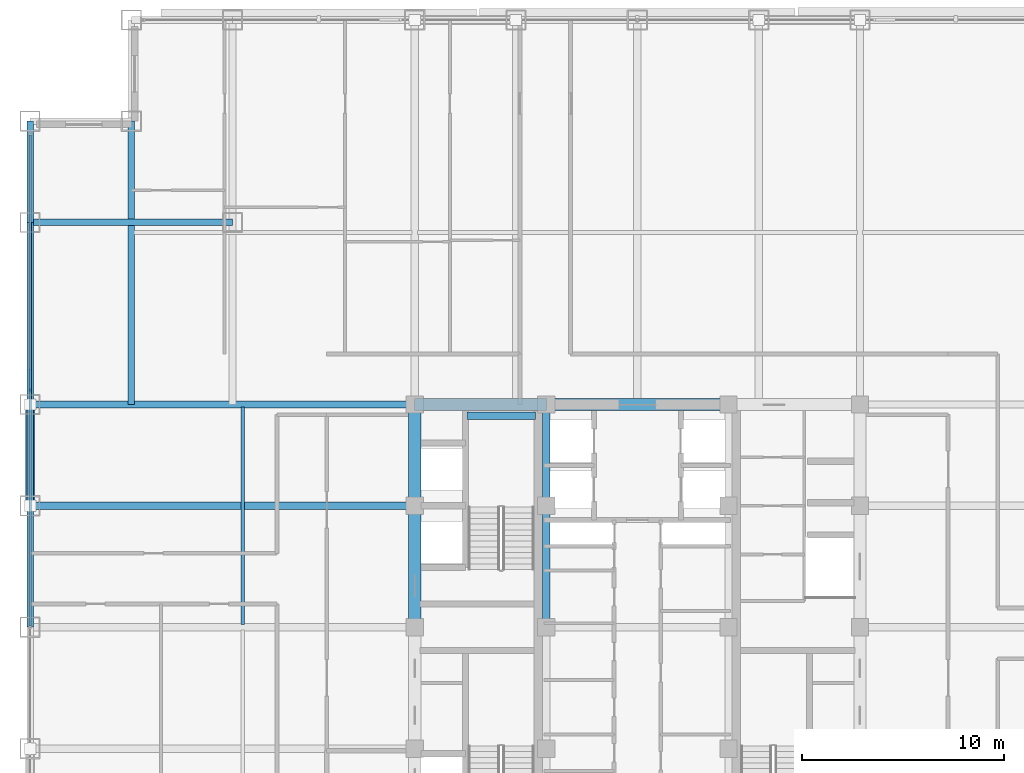
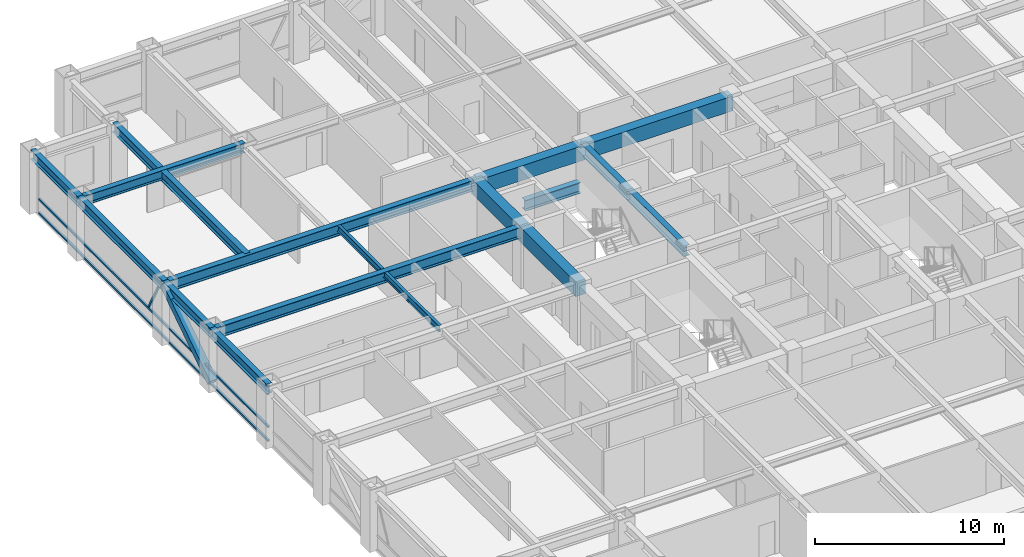
# One storey, part 11 of 29: 16 beams, 5 members, 1 element without a shape of its own.
"""IFC4 building model written with IfcOpenShell, lengths in metres."""

from ifc_helpers import new_model, si_unit, direction, frame, origin, origin_2d, place, context, subcontext, project, spatial, rectangle, hollow_rectangle, i_section, extrude, source, transform, mapped, material, material_profile, profile_set, type_object, element, aggregate, save


model = new_model("IFC4")

# Units and contexts
model_context = context("Model", 3, precision=1e-05, world=origin(), true_north=direction((0.0, 1.0)))
body_context = subcontext(model_context, "Body", "Model", "MODEL_VIEW")
ifc_project = project(units=[si_unit("LENGTHUNIT", "METRE"), si_unit("AREAUNIT", "SQUARE_METRE"), si_unit("VOLUMEUNIT", "CUBIC_METRE"), si_unit("PLANEANGLEUNIT", "RADIAN"), si_unit("MASSUNIT", "GRAM", prefix="KILO")], contexts=[model_context])

# Site, building, storey
site_placement = place(None, origin())
site = spatial("IfcSite", under=ifc_project, at=site_placement, CompositionType="ELEMENT")
building_placement = place(site_placement, origin())
building = spatial("IfcBuilding", under=site, at=building_placement, Name="Khorayat Bourse Tower", CompositionType="ELEMENT")
storey_placement = place(building_placement, frame((0.0, 0.0, 243.10009765625)))
storey = spatial("IfcBuildingStorey", under=building, at=storey_placement, Name="L57", CompositionType="ELEMENT", Elevation=243.10009765625)

# Beams
ifc_material_1 = material(Name="Steel ASTM A992 Grade 50", Category="steel")
ifc_material_profile_1 = material_profile(ifc_material_1, i_section(OverallWidth=0.35498046875, OverallDepth=0.695068359375, WebThickness=0.015380859375, FlangeThickness=0.02490234375, FilletRadius=0.01806640625, at=origin_2d()), Name="W690X217")
ifc_profile_set_1 = profile_set([ifc_material_profile_1], Name="Steel ASTM A992 Grade 50")
beam_type_1 = type_object("IfcBeamType", Name="BM-GIRD-690", PredefinedType="BEAM", material=ifc_profile_set_1)
shared_shape_1 = source(origin(), body_context, "Body", "SweptSolid", [
    extrude(i_section(OverallWidth=0.35498046875, OverallDepth=0.695068359375, WebThickness=0.015380859375, FlangeThickness=0.02490234375, FilletRadius=0.01806640625, at=origin_2d()), origin(), (0.0, 0.0, 1.0), 5.0),
])
beam_1_placement = place(storey_placement, frame((-4.5, 6.0, 3.432373046875), z_axis=(0.0, 1.0, 0.0), x_axis=(-1.0, 0.0, 0.0)))
element("IfcBeam", 1, at=beam_1_placement, inside=storey, type_object=beam_type_1, Name="L57 BM-GIRD-690 BM-L57-CRX-08", PredefinedType="BEAM", context=body_context, shape_type="MappedRepresentation", body=[
    mapped(shared_shape_1, transform((0.0, 0.0, 0.0), scale=1.0)),
])
shared_shape_2 = source(origin(), body_context, "Body", "SweptSolid", [
    extrude(i_section(OverallWidth=0.35498046875, OverallDepth=0.695068359375, WebThickness=0.015380859375, FlangeThickness=0.02490234375, FilletRadius=0.01806640625, at=origin_2d()), origin(), (0.0, 0.0, 1.0), 6.0),
])
beam_2_placement = place(storey_placement, frame((-4.5, 0.0, 3.432373046875), z_axis=(0.0, 1.0, 0.0), x_axis=(-1.0, 0.0, 0.0)))
element("IfcBeam", 2, at=beam_2_placement, inside=storey, type_object=beam_type_1, Name="L57 BM-GIRD-690 BM-L57-CRX-07", PredefinedType="BEAM", context=body_context, shape_type="MappedRepresentation", body=[
    mapped(shared_shape_2, transform((0.0, 0.0, 0.0), scale=1.0)),
])
shared_shape_3 = source(origin(), body_context, "Body", "SweptSolid", [
    extrude(i_section(OverallWidth=0.35498046875, OverallDepth=0.695068359375, WebThickness=0.015380859375, FlangeThickness=0.02490234375, FilletRadius=0.01806640625, at=origin_2d()), origin(), (0.0, 0.0, 1.0), 3.39990234375),
])
beam_3_placement = place(storey_placement, frame((-8.419921875, 10.449951171875, 1.452392578125), z_axis=(1.0, 0.0, 0.0), x_axis=(0.0, 1.0, 0.0)))
element("IfcBeam", 3, at=beam_3_placement, inside=storey, type_object=beam_type_1, Name="L57 BM-GIRD-690 BM-L57-ST2L", PredefinedType="BEAM", context=body_context, shape_type="MappedRepresentation", body=[
    mapped(shared_shape_3, transform((0.0, 0.0, 0.0), scale=1.0)),
])
ifc_material_profile_2 = material_profile(ifc_material_1, i_section(OverallWidth=0.324951171875, OverallDepth=0.615966796875, WebThickness=0.013916015625, FlangeThickness=0.021484375, FilletRadius=0.01611328125, at=origin_2d()), Name="W610X174")
ifc_profile_set_2 = profile_set([ifc_material_profile_2], Name="Steel ASTM A992 Grade 50")
beam_type_2 = type_object("IfcBeamType", Name="BM-GIRD-610", PredefinedType="BEAM", material=ifc_profile_set_2)
shared_shape_4 = source(origin(), body_context, "Body", "SweptSolid", [
    extrude(i_section(OverallWidth=0.324951171875, OverallDepth=0.615966796875, WebThickness=0.013916015625, FlangeThickness=0.021484375, FilletRadius=0.01611328125, at=origin_2d()), origin(), (0.0, 0.0, 1.0), 10.0),
])
beam_4_placement = place(storey_placement, frame((-30.0, 20.0, 3.471923828125), z_axis=(1.0, 0.0, 0.0), x_axis=(0.0, 1.0, 0.0)))
element("IfcBeam", 4, at=beam_4_placement, inside=storey, type_object=beam_type_2, Name="L57 BM-GIRD-610 BM-L57-CNRX-095", PredefinedType="BEAM", context=body_context, shape_type="MappedRepresentation", body=[
    mapped(shared_shape_4, transform((0.0, 0.0, 0.0), scale=1.0)),
])
ifc_material_profile_3 = material_profile(ifc_material_1, i_section(OverallWidth=0.180908203125, OverallDepth=0.4169921875, WebThickness=0.010986328125, FlangeThickness=0.018310546875, FilletRadius=0.011962890625, at=origin_2d()), Name="W410X85")
ifc_profile_set_3 = profile_set([ifc_material_profile_3], Name="Steel ASTM A992 Grade 50")
beam_type_3 = type_object("IfcBeamType", Name="BM-JOIST-410", PredefinedType="JOIST", material=ifc_profile_set_3)
shared_shape_5 = source(origin(), body_context, "Body", "SweptSolid", [
    extrude(i_section(OverallWidth=0.180908203125, OverallDepth=0.4169921875, WebThickness=0.010986328125, FlangeThickness=0.018310546875, FilletRadius=0.011962890625, at=origin_2d()), origin(), (0.0, 0.0, 1.0), 10.740234375),
])
beam_5_placement = place(storey_placement, frame((-19.5, 0.1298828125, 3.5712890625), z_axis=(0.0, 1.0, 0.0), x_axis=(-1.0, 0.0, 0.0)))
element("IfcBeam", 5, at=beam_5_placement, inside=storey, type_object=beam_type_3, Name="L57 BM-JOIST-410 BM-L57-JSTY-103", PredefinedType="JOIST", context=body_context, shape_type="MappedRepresentation", body=[
    mapped(shared_shape_5, transform((0.0, 0.0, 0.0), scale=1.0)),
])
ifc_material_profile_4 = material_profile(ifc_material_1, i_section(OverallWidth=0.324951171875, OverallDepth=0.615966796875, WebThickness=0.013916015625, FlangeThickness=0.021484375, FilletRadius=0.01611328125, at=origin_2d()), Name="W610X174")
ifc_profile_set_4 = profile_set([ifc_material_profile_4], Name="Steel ASTM A992 Grade 50")
beam_type_4 = type_object("IfcBeamType", Name="BM-SPAN-610", PredefinedType="SPANDREL", material=ifc_profile_set_4)
shared_shape_6 = source(origin(), body_context, "Body", "SweptSolid", [
    extrude(i_section(OverallWidth=0.324951171875, OverallDepth=0.615966796875, WebThickness=0.013916015625, FlangeThickness=0.021484375, FilletRadius=0.01611328125, at=origin_2d()), origin(), (0.0, 0.0, 1.0), 9.0),
])
beam_6_placement = place(storey_placement, frame((-30.0, 11.0, 3.471923828125), z_axis=(0.0, 1.0, 0.0), x_axis=(-1.0, 0.0, 0.0)))
element("IfcBeam", 6, at=beam_6_placement, inside=storey, type_object=beam_type_4, Name="L57 BM-SPAN-610 BM-L57-SPN-055", PredefinedType="SPANDREL", context=body_context, shape_type="MappedRepresentation", body=[
    mapped(shared_shape_6, transform((0.0, 0.0, 0.0), scale=1.0)),
])
shared_shape_7 = source(origin(), body_context, "Body", "SweptSolid", [
    extrude(i_section(OverallWidth=0.324951171875, OverallDepth=0.615966796875, WebThickness=0.013916015625, FlangeThickness=0.021484375, FilletRadius=0.01611328125, at=origin_2d()), origin(), (0.0, 0.0, 1.0), 5.0),
])
for number, where, z_axis, x_axis, name in (
    (7, (-30.0, 20.0, 3.471923828125), (0.0, 1.0, 0.0), (-1.0, 0.0, 0.0), "L57 BM-SPAN-610 BM-L57-SPN-054"),
    (8, (-30.0, 6.0, 3.471923828125), (0.0, 1.0, 0.0), (-1.0, 0.0, 0.0), "L57 BM-SPAN-610 BM-L57-SPN-056"),
):
    element("IfcBeam", number, at=place(storey_placement, frame(where, z_axis=z_axis, x_axis=x_axis)), inside=storey, type_object=beam_type_4, Name=name, PredefinedType="SPANDREL", context=body_context, shape_type="MappedRepresentation", body=[
        mapped(shared_shape_7, transform((0.0, 0.0, 0.0), scale=1.0)),
    ])
shared_shape_8 = source(origin(), body_context, "Body", "SweptSolid", [
    extrude(i_section(OverallWidth=0.324951171875, OverallDepth=0.615966796875, WebThickness=0.013916015625, FlangeThickness=0.021484375, FilletRadius=0.01611328125, at=origin_2d()), origin(), (0.0, 0.0, 1.0), 6.0),
])
beam_7_placement = place(storey_placement, frame((-30.0, 0.0, 3.471923828125), z_axis=(0.0, 1.0, 0.0), x_axis=(-1.0, 0.0, 0.0)))
element("IfcBeam", 9, at=beam_7_placement, inside=storey, type_object=beam_type_4, Name="L57 BM-SPAN-610 BM-L57-SPN-057", PredefinedType="SPANDREL", context=body_context, shape_type="MappedRepresentation", body=[
    mapped(shared_shape_8, transform((0.0, 0.0, 0.0), scale=1.0)),
])
ifc_material_2 = material(Name="Concrete C60/75", Category="concrete")
ifc_material_profile_5 = material_profile(ifc_material_2, rectangle(XDim=0.60009765625, YDim=0.949951171875, at=origin_2d()), Name="RC 600x950")
ifc_profile_set_5 = profile_set([ifc_material_profile_5], Name="Concrete C60/75")
beam_type_5 = type_object("IfcBeamType", Name="BM-COUP-950", PredefinedType="BEAM", material=ifc_profile_set_5)
shared_shape_9 = source(origin(), body_context, "Body", "SweptSolid", [
    extrude(rectangle(XDim=0.60009765625, YDim=0.949951171875, at=origin_2d()), origin(), (0.0, 0.0, 1.0), 5.0),
])
beam_8_placement = place(storey_placement, frame((-11.0, 6.0, 3.304931640625), z_axis=(0.0, 1.0, 0.0), x_axis=(-1.0, 0.0, 0.0)))
element("IfcBeam", 10, at=beam_8_placement, inside=storey, type_object=beam_type_5, Name="L57 BM-COUP-950 BM-L57-CRX-04", PredefinedType="BEAM", context=body_context, shape_type="MappedRepresentation", body=[
    mapped(shared_shape_9, transform((0.0, 0.0, 0.0), scale=1.0)),
])
shared_shape_10 = source(origin(), body_context, "Body", "SweptSolid", [
    extrude(rectangle(XDim=0.60009765625, YDim=0.949951171875, at=origin_2d()), origin(), (0.0, 0.0, 1.0), 6.0),
])
beam_9_placement = place(storey_placement, frame((-11.0, 0.0, 3.304931640625), z_axis=(0.0, 1.0, 0.0), x_axis=(-1.0, 0.0, 0.0)))
element("IfcBeam", 11, at=beam_9_placement, inside=storey, type_object=beam_type_5, Name="L57 BM-COUP-950 BM-L57-CRX-03", PredefinedType="BEAM", context=body_context, shape_type="MappedRepresentation", body=[
    mapped(shared_shape_10, transform((0.0, 0.0, 0.0), scale=1.0)),
])
shared_shape_11 = source(origin(), body_context, "Body", "SweptSolid", [
    extrude(rectangle(XDim=0.60009765625, YDim=0.949951171875, at=origin_2d()), origin(), (0.0, 0.0, 1.0), 6.5),
])
beam_10_placement = place(storey_placement, frame((-11.0, 11.0, 3.304931640625), z_axis=(1.0, 0.0, 0.0), x_axis=(0.0, 1.0, 0.0)))
element("IfcBeam", 12, at=beam_10_placement, inside=storey, type_object=beam_type_5, Name="L57 BM-COUP-950 BM-L57-CRY-20", PredefinedType="BEAM", context=body_context, shape_type="MappedRepresentation", body=[
    mapped(shared_shape_11, transform((0.0, 0.0, 0.0), scale=1.0)),
])
shared_shape_12 = source(origin(), body_context, "Body", "SweptSolid", [
    extrude(rectangle(XDim=0.60009765625, YDim=0.949951171875, at=origin_2d()), origin(), (0.0, 0.0, 1.0), 9.0),
])
beam_11_placement = place(storey_placement, frame((-4.5, 11.0, 3.304931640625), z_axis=(1.0, 0.0, 0.0), x_axis=(0.0, 1.0, 0.0)))
element("IfcBeam", 13, at=beam_11_placement, inside=storey, type_object=beam_type_5, Name="L57 BM-COUP-950 BM-L57-CRY-21", PredefinedType="BEAM", context=body_context, shape_type="MappedRepresentation", body=[
    mapped(shared_shape_12, transform((0.0, 0.0, 0.0), scale=1.0)),
])
shared_shape_13 = source(origin(), body_context, "Body", "SweptSolid", [
    extrude(i_section(OverallWidth=0.35498046875, OverallDepth=0.695068359375, WebThickness=0.015380859375, FlangeThickness=0.02490234375, FilletRadius=0.01806640625, at=origin_2d()), origin(), (0.0, 0.0, 1.0), 19.0),
])
for number, where, z_axis, x_axis, name in (
    (14, (-30.0, 6.0, 3.432373046875), (1.0, 0.0, 0.0), (0.0, 1.0, 0.0), "L57 BM-GIRD-690 BM-L57-RADX-081"),
    (15, (-30.0, 11.0, 3.432373046875), (1.0, 0.0, 0.0), (0.0, 1.0, 0.0), "L57 BM-GIRD-690 BM-L57-RADX-083"),
):
    element("IfcBeam", number, at=place(storey_placement, frame(where, z_axis=z_axis, x_axis=x_axis)), inside=storey, type_object=beam_type_1, Name=name, PredefinedType="BEAM", context=body_context, shape_type="MappedRepresentation", body=[
        mapped(shared_shape_13, transform((0.0, 0.0, 0.0), scale=1.0)),
    ])
shared_shape_14 = source(origin(), body_context, "Body", "SweptSolid", [
    extrude(i_section(OverallWidth=0.324951171875, OverallDepth=0.615966796875, WebThickness=0.013916015625, FlangeThickness=0.021484375, FilletRadius=0.01611328125, at=origin_2d()), origin(), (0.0, 0.0, 1.0), 14.0),
])
beam_12_placement = place(storey_placement, frame((-25.0, 11.0, 3.471923828125), z_axis=(0.0, 1.0, 0.0), x_axis=(-1.0, 0.0, 0.0)))
element("IfcBeam", 16, at=beam_12_placement, inside=storey, type_object=beam_type_2, Name="L57 BM-GIRD-610 BM-L57-CNRY-089", PredefinedType="BEAM", context=body_context, shape_type="MappedRepresentation", body=[
    mapped(shared_shape_14, transform((0.0, 0.0, 0.0), scale=1.0)),
])

# Member
ifc_material_3 = material(Name="Steel EN 10025-4 S460M", Category="steel")
ifc_material_profile_6 = material_profile(ifc_material_3, hollow_rectangle(XDim=0.449951171875, YDim=0.449951171875, WallThickness=0.02490234375, at=origin_2d()), Name="HSS 450x450x25")
ifc_profile_set_6 = profile_set([ifc_material_profile_6], Name="Steel EN 10025-4 S460M")
member_type_1 = type_object("IfcMemberType", Name="MBR-TUBE-450", PredefinedType="BRACE", material=ifc_profile_set_6)
shared_shape_15 = source(origin(), body_context, "Body", "SweptSolid", [
    extrude(hollow_rectangle(XDim=0.449951171875, YDim=0.449951171875, WallThickness=0.02490234375, at=origin_2d()), origin(), (0.0, 0.0, 1.0), 5.979736328125),
])
member_1_placement = place(storey_placement, frame((-30.0, 6.0, 0.25), z_axis=(0.0, 0.836160261256, 0.548485202623), x_axis=(-1.0, 0.0, 0.0)))
element("IfcMember", 17, at=member_1_placement, inside=storey, type_object=member_type_1, Name="L57 Perimeter Tube Brace 06", PredefinedType="BRACE", context=body_context, shape_type="MappedRepresentation", body=[
    mapped(shared_shape_15, transform((0.0, 0.0, 0.0), scale=1.0)),
])

# Curtain wall, members
ifc_material_4 = material(Name="Aluminium EN AW-6063 T6", Category="aluminium")
curtain_wall_type = type_object("IfcCurtainWallType", Name="CW-SYS-03", PredefinedType="NOTDEFINED", material=ifc_material_4)
curtain_wall_placement = place(storey_placement, origin())
curtain_wall = element("IfcCurtainWall", 18, at=curtain_wall_placement, inside=storey, type_object=curtain_wall_type, Name="L57 Curtain Wall CW-L57-W1", PredefinedType="NOTDEFINED")
ifc_material_profile_7 = material_profile(ifc_material_4, hollow_rectangle(XDim=0.1201171875, YDim=0.1201171875, WallThickness=0.0048828125, at=origin_2d()), Name="ALU 120x120x5")
ifc_profile_set_7 = profile_set([ifc_material_profile_7], Name="Aluminium EN AW-6063 T6")
member_type_2 = type_object("IfcMemberType", Name="CWM-DIAG-120", PredefinedType="MULLION", material=ifc_profile_set_7)
shared_shape_16 = source(origin(), body_context, "Body", "SweptSolid", [
    extrude(hollow_rectangle(XDim=0.1201171875, YDim=0.1201171875, WallThickness=0.0048828125, at=origin_2d()), origin(), (0.0, 0.0, 1.0), 2.079345703125),
])
member_2_placement = place(storey_placement, frame((-30.0, 12.67919921875, 1.08984375), z_axis=(0.0, -0.465760949701, 0.884910581773), x_axis=(1.0, 0.0, 0.0)))
member_2 = element("IfcMember", 19, at=member_2_placement, type_object=member_type_2, Name="CW-L57-W1 Faceted Diagonal Mullion 2", PredefinedType="MULLION", context=body_context, shape_type="MappedRepresentation", body=[
    mapped(shared_shape_16, transform((0.0, 0.0, 0.0), scale=1.0)),
])
ifc_material_profile_8 = material_profile(ifc_material_4, hollow_rectangle(XDim=0.1201171875, YDim=0.1201171875, WallThickness=0.0048828125, at=origin_2d()), Name="ALU 120x120x5")
ifc_profile_set_8 = profile_set([ifc_material_profile_8], Name="Aluminium EN AW-6063 T6")
member_type_3 = type_object("IfcMemberType", Name="CWT-HORZ-120", PredefinedType="USERDEFINED", material=ifc_profile_set_8)
shared_shape_17 = source(origin(), body_context, "Body", "SweptSolid", [
    extrude(hollow_rectangle(XDim=0.1201171875, YDim=0.1201171875, WallThickness=0.0048828125, at=origin_2d()), origin(), (0.0, 0.0, 1.0), 24.27001953125),
])
member_3_placement = place(storey_placement, frame((-30.0, 0.06005859375, 0.059814453125), z_axis=(0.0, 1.0, 0.0), x_axis=(-1.0, 0.0, 0.0)))
member_3 = element("IfcMember", 20, at=member_3_placement, type_object=member_type_3, Name="CW-L57-W1 Horizontal Transom 2-1", ObjectType="TRANSOM", PredefinedType="USERDEFINED", context=body_context, shape_type="MappedRepresentation", body=[
    mapped(shared_shape_17, transform((0.0, 0.0, 0.0), scale=1.0)),
])
member_4_placement = place(storey_placement, frame((-30.0, 0.06005859375, 0.949951171875), z_axis=(0.0, 1.0, 0.0), x_axis=(-1.0, 0.0, 0.0)))
member_4 = element("IfcMember", 21, at=member_4_placement, type_object=member_type_3, Name="CW-L57-W1 Horizontal Transom 2-2", ObjectType="TRANSOM", PredefinedType="USERDEFINED", context=body_context, shape_type="MappedRepresentation", body=[
    mapped(shared_shape_17, transform((0.0, 0.0, 0.0), scale=1.0)),
])
member_5_placement = place(storey_placement, frame((-30.0, 0.06005859375, 3.06982421875), z_axis=(0.0, 1.0, 0.0), x_axis=(-1.0, 0.0, 0.0)))
member_5 = element("IfcMember", 22, at=member_5_placement, type_object=member_type_3, Name="CW-L57-W1 Horizontal Transom 2-3", ObjectType="TRANSOM", PredefinedType="USERDEFINED", context=body_context, shape_type="MappedRepresentation", body=[
    mapped(shared_shape_17, transform((0.0, 0.0, 0.0), scale=1.0)),
])
aggregate(curtain_wall, [member_3, member_4, member_5, member_2])

save(model, "model.ifc")
